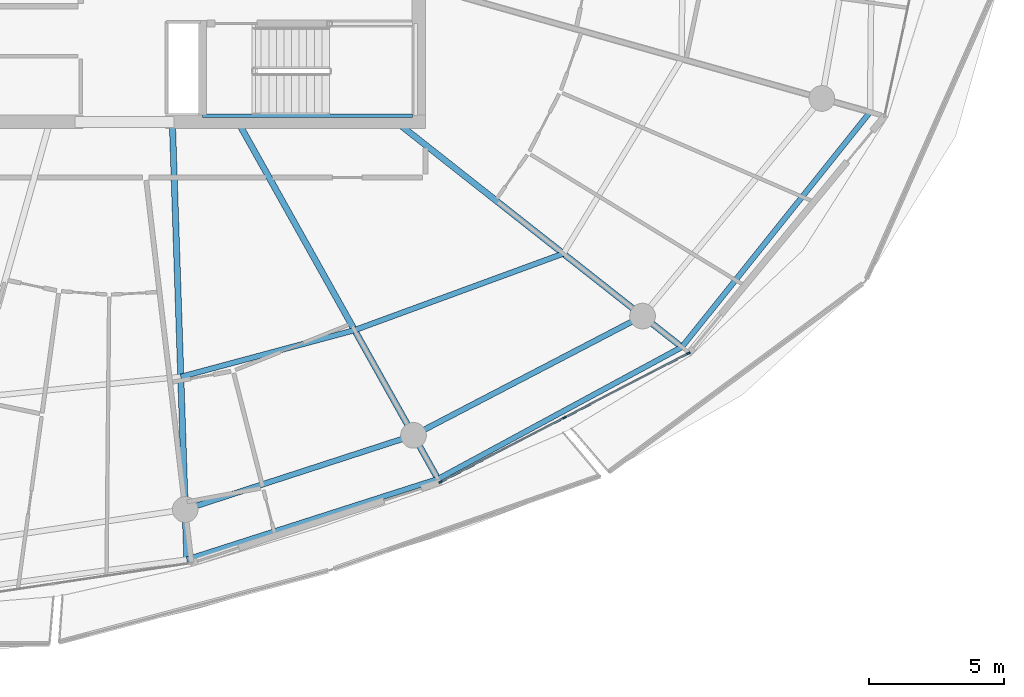
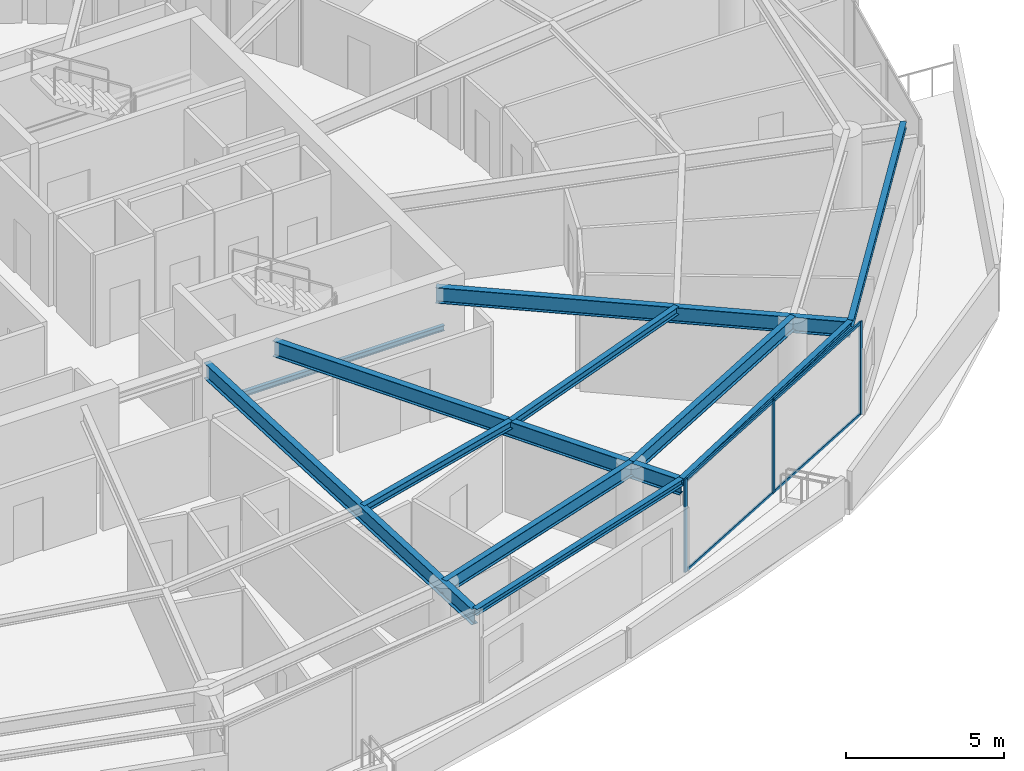
# One storey, part 10 of 30: 11 beams, 7 members, 1 element without a shape of its own.
"""IFC4 building model written with IfcOpenShell, lengths in metres."""

from ifc_helpers import new_model, si_unit, direction, frame, origin, origin_2d, place, context, subcontext, project, spatial, rectangle, i_section, extrude, material, layer, layer_set, material_profile, profile_set, type_object, element, aggregate, save


model = new_model("IFC4")

# Units and contexts
model_context = context("Model", 3, precision=1e-05, world=origin(), true_north=direction((0.0, 1.0)))
body_context = subcontext(model_context, "Body", "Model", "MODEL_VIEW")
ifc_project = project(units=[si_unit("LENGTHUNIT", "METRE"), si_unit("AREAUNIT", "SQUARE_METRE"), si_unit("VOLUMEUNIT", "CUBIC_METRE"), si_unit("PLANEANGLEUNIT", "RADIAN"), si_unit("MASSUNIT", "GRAM", prefix="KILO")], contexts=[model_context])

# Site, building, storey
site_placement = place(None, origin())
site = spatial("IfcSite", under=ifc_project, at=site_placement, CompositionType="ELEMENT")
building_placement = place(site_placement, origin())
building = spatial("IfcBuilding", under=site, at=building_placement, Name="Kazma Halo Residences", CompositionType="ELEMENT")
storey_placement = place(building_placement, frame((0.0, 0.0, 279.050048828125)))
storey = spatial("IfcBuildingStorey", under=building, at=storey_placement, Name="L70", CompositionType="ELEMENT", Elevation=279.050048828125)

# Beams
ifc_material_1 = material(Name="Steel S355", Category="steel")
ifc_material_profile_1 = material_profile(ifc_material_1, i_section(OverallWidth=0.201904296875, OverallDepth=0.2470703125, WebThickness=0.00732421875, FlangeThickness=0.010986328125, FilletRadius=0.011962890625, at=origin_2d()), Name="W250x49.1")
ifc_profile_set_1 = profile_set([ifc_material_profile_1], Name="Steel S355")
beam_type_1 = type_object("IfcBeamType", Name="BM-BAL-CANT", PredefinedType="BEAM", material=ifc_profile_set_1)
beam_1_placement = place(storey_placement, frame((50.732666015625, 17.580078125, 3.466552734375), z_axis=(0.952222879483, 0.305403974742, 0.0), x_axis=(-0.305403974742, 0.952222879483, 0.0)))
element("IfcBeam", 1, at=beam_1_placement, inside=storey, type_object=beam_type_1, Name="L70 wave-balcony tie beam 12", PredefinedType="BEAM", context=body_context, shape_type="SweptSolid", body=[
    extrude(i_section(OverallWidth=0.201904296875, OverallDepth=0.2470703125, WebThickness=0.00732421875, FlangeThickness=0.010986328125, FilletRadius=0.011962890625, at=origin_2d()), origin(), (0.0, 0.0, 1.0), 9.742431640625),
])
beam_2_placement = place(storey_placement, frame((60.009521484375, 20.555419921875, 3.466552734375), z_axis=(0.879517282036, 0.475866946321, 0.0), x_axis=(-0.475866946321, 0.879517282036, 0.0)))
element("IfcBeam", 2, at=beam_2_placement, inside=storey, type_object=beam_type_1, Name="L70 wave-balcony tie beam 13", PredefinedType="BEAM", context=body_context, shape_type="SweptSolid", body=[
    extrude(i_section(OverallWidth=0.201904296875, OverallDepth=0.2470703125, WebThickness=0.00732421875, FlangeThickness=0.010986328125, FilletRadius=0.011962890625, at=origin_2d()), origin(), (0.0, 0.0, 1.0), 10.243408203125),
])
beam_3_placement = place(storey_placement, frame((69.018798828125, 25.429931640625, 3.466552734375), z_axis=(0.625117912406, 0.780530329705, 0.0), x_axis=(-0.780530329705, 0.625117912406, 0.0)))
element("IfcBeam", 3, at=beam_3_placement, inside=storey, type_object=beam_type_1, Name="L70 wave-balcony tie beam 14", PredefinedType="BEAM", context=body_context, shape_type="SweptSolid", body=[
    extrude(i_section(OverallWidth=0.201904296875, OverallDepth=0.2470703125, WebThickness=0.00732421875, FlangeThickness=0.010986328125, FilletRadius=0.011962890625, at=origin_2d()), origin(), (0.0, 0.0, 1.0), 11.1220703125),
])
ifc_material_profile_2 = material_profile(ifc_material_1, i_section(OverallWidth=0.22802734375, OverallDepth=0.60791015625, WebThickness=0.01123046875, FlangeThickness=0.017333984375, FilletRadius=0.01806640625, at=origin_2d()), Name="W610x113")
ifc_profile_set_2 = profile_set([ifc_material_profile_2], Name="Steel S355")
beam_type_2 = type_object("IfcBeamType", Name="BM-RAD-W610", PredefinedType="BEAM", material=ifc_profile_set_2)
beam_4_placement = place(storey_placement, frame((50.199951171875, 33.64990234375, 3.285888671875), z_axis=(0.033131810975, -0.999450990845, 0.0), x_axis=(0.999450990845, 0.033131810975, 0.0)))
element("IfcBeam", 4, at=beam_4_placement, inside=storey, type_object=beam_type_2, Name="L70 radial floor beam 12", PredefinedType="BEAM", context=body_context, shape_type="SweptSolid", body=[
    extrude(i_section(OverallWidth=0.22802734375, OverallDepth=0.60791015625, WebThickness=0.01123046875, FlangeThickness=0.017333984375, FilletRadius=0.01806640625, at=origin_2d()), origin(), (0.0, 0.0, 1.0), 16.07861328125),
])
beam_5_placement = place(storey_placement, frame((52.67626953125, 33.64990234375, 3.285888671875), z_axis=(0.488620706085, -0.872496306918, 0.0), x_axis=(0.872496306918, 0.488620706085, 0.0)))
element("IfcBeam", 5, at=beam_5_placement, inside=storey, type_object=beam_type_2, Name="L70 radial floor beam 13", PredefinedType="BEAM", context=body_context, shape_type="SweptSolid", body=[
    extrude(i_section(OverallWidth=0.22802734375, OverallDepth=0.60791015625, WebThickness=0.01123046875, FlangeThickness=0.017333984375, FilletRadius=0.01806640625, at=origin_2d()), origin(), (0.0, 0.0, 1.0), 15.008056640625),
])
beam_6_placement = place(storey_placement, frame((58.591796875, 33.64990234375, 3.285888671875), z_axis=(0.785317474283, -0.619093260007, 0.0), x_axis=(0.619093260007, 0.785317474283, 0.0)))
element("IfcBeam", 6, at=beam_6_placement, inside=storey, type_object=beam_type_2, Name="L70 radial floor beam 14", PredefinedType="BEAM", context=body_context, shape_type="SweptSolid", body=[
    extrude(i_section(OverallWidth=0.22802734375, OverallDepth=0.60791015625, WebThickness=0.01123046875, FlangeThickness=0.017333984375, FilletRadius=0.01806640625, at=origin_2d()), origin(), (0.0, 0.0, 1.0), 13.27734375),
])
ifc_material_profile_3 = material_profile(ifc_material_1, i_section(OverallWidth=0.202880859375, OverallDepth=0.302978515625, WebThickness=0.007568359375, FlangeThickness=0.01318359375, FilletRadius=0.013916015625, at=origin_2d()), Name="W310x60")
ifc_profile_set_3 = profile_set([ifc_material_profile_3], Name="Steel S355")
beam_type_3 = type_object("IfcBeamType", Name="BM-SEC-W310A", PredefinedType="JOIST", material=ifc_profile_set_3)
beam_7_placement = place(storey_placement, frame((50.509033203125, 24.32958984375, 3.4384765625), z_axis=(0.965728418457, 0.259554660493, 0.0), x_axis=(-0.259554660493, 0.965728418457, 0.0)))
element("IfcBeam", 7, at=beam_7_placement, inside=storey, type_object=beam_type_3, Name="L70 circumferential floor joist 12", PredefinedType="JOIST", context=body_context, shape_type="SweptSolid", body=[
    extrude(i_section(OverallWidth=0.202880859375, OverallDepth=0.302978515625, WebThickness=0.007568359375, FlangeThickness=0.01318359375, FilletRadius=0.013916015625, at=origin_2d()), origin(), (0.0, 0.0, 1.0), 6.648193359375),
])
beam_8_placement = place(storey_placement, frame((56.929443359375, 26.05517578125, 3.4384765625), z_axis=(0.938873433212, 0.344262510896, 0.0), x_axis=(-0.344262510896, 0.938873433212, 0.0)))
element("IfcBeam", 8, at=beam_8_placement, inside=storey, type_object=beam_type_3, Name="L70 circumferential floor joist 13", PredefinedType="JOIST", context=body_context, shape_type="SweptSolid", body=[
    extrude(i_section(OverallWidth=0.202880859375, OverallDepth=0.302978515625, WebThickness=0.007568359375, FlangeThickness=0.01318359375, FilletRadius=0.013916015625, at=origin_2d()), origin(), (0.0, 0.0, 1.0), 8.212158203125),
])
ifc_material_profile_4 = material_profile(ifc_material_1, i_section(OverallWidth=0.208984375, OverallDepth=0.532958984375, WebThickness=0.01025390625, FlangeThickness=0.015625, FilletRadius=0.01611328125, at=origin_2d()), Name="W530x92")
ifc_profile_set_4 = profile_set([ifc_material_profile_4], Name="Steel S355")
beam_type_4 = type_object("IfcBeamType", Name="BM-SPN-W530", PredefinedType="BEAM", material=ifc_profile_set_4)
beam_9_placement = place(storey_placement, frame((50.67138671875, 19.42919921875, 3.323486328125), z_axis=(0.951053893407, 0.309025066679, 0.0), x_axis=(-0.309025066679, 0.951053893407, 0.0)))
element("IfcBeam", 9, at=beam_9_placement, inside=storey, type_object=beam_type_4, Name="L70 perimeter ring beam 12", PredefinedType="BEAM", context=body_context, shape_type="SweptSolid", body=[
    extrude(i_section(OverallWidth=0.208984375, OverallDepth=0.532958984375, WebThickness=0.01025390625, FlangeThickness=0.015625, FilletRadius=0.01611328125, at=origin_2d()), origin(), (0.0, 0.0, 1.0), 8.8681640625),
])
beam_10_placement = place(storey_placement, frame((59.10546875, 22.169677734375, 3.323486328125), z_axis=(0.886961047115, 0.461844238788, 0.0), x_axis=(-0.461844238788, 0.886961047115, 0.0)))
element("IfcBeam", 10, at=beam_10_placement, inside=storey, type_object=beam_type_4, Name="L70 perimeter ring beam 13", PredefinedType="BEAM", context=body_context, shape_type="SweptSolid", body=[
    extrude(i_section(OverallWidth=0.208984375, OverallDepth=0.532958984375, WebThickness=0.01025390625, FlangeThickness=0.015625, FilletRadius=0.01611328125, at=origin_2d()), origin(), (0.0, 0.0, 1.0), 9.5390625),
])
ifc_material_profile_5 = material_profile(ifc_material_1, i_section(OverallWidth=0.133056640625, OverallDepth=0.20703125, WebThickness=0.005859375, FlangeThickness=0.00830078125, FilletRadius=0.010009765625, at=origin_2d()), Name="W200x26.6")
ifc_profile_set_5 = profile_set([ifc_material_profile_5], Name="Steel S355")
beam_type_5 = type_object("IfcBeamType", Name="BM-TRIM-W200", PredefinedType="BEAM", material=ifc_profile_set_5)
beam_11_placement = place(storey_placement, frame((51.31005859375, 33.97998046875, 1.619873046875), z_axis=(1.0, 0.0, 0.0), x_axis=(0.0, 1.0, 0.0)))
element("IfcBeam", 11, at=beam_11_placement, inside=storey, type_object=beam_type_5, Name="L70 ST-03 landing south wall ledger", PredefinedType="BEAM", context=body_context, shape_type="SweptSolid", body=[
    extrude(i_section(OverallWidth=0.133056640625, OverallDepth=0.20703125, WebThickness=0.005859375, FlangeThickness=0.00830078125, FilletRadius=0.010009765625, at=origin_2d()), origin(), (0.0, 0.0, 1.0), 7.760009765625),
])

# Curtain wall, members
ifc_material_2 = material(Name="Aluminium AW-6063 T6 and Triple-Silver Low-E Glass", Category="aluminium")
ifc_layer = layer(ifc_material_2, 0.139892578125)
ifc_layer_set = layer_set([ifc_layer], Name="Aluminium AW-6063 T6 and Triple-Silver Low-E Glass")
curtain_wall_type = type_object("IfcCurtainWallType", Name="CW-SYS-5", PredefinedType="NOTDEFINED", material=ifc_layer_set)
curtain_wall_placement = place(storey_placement, origin())
curtain_wall = element("IfcCurtainWall", 12, at=curtain_wall_placement, inside=storey, type_object=curtain_wall_type, Name="L70 unitised curtain wall B13", PredefinedType="NOTDEFINED")
ifc_material_3 = material(Name="Aluminium AW-6063 T6", Category="aluminium")
ifc_material_profile_6 = material_profile(ifc_material_3, rectangle(XDim=0.06005859375, YDim=0.139892578125, at=origin_2d()), Name="CWM-60x140")
ifc_profile_set_6 = profile_set([ifc_material_profile_6], Name="Aluminium AW-6063 T6")
member_type_1 = type_object("IfcMemberType", Name="CW-SYS-5-MUL", PredefinedType="MULLION", material=ifc_profile_set_6)
member_1_placement = place(storey_placement, frame((60.105224609375, 20.446044921875, 0.0), z_axis=(0.0, 0.0, 1.0), x_axis=(-0.460960760804, 0.887420518694, 0.0)))
member_1 = element("IfcMember", 13, at=member_1_placement, type_object=member_type_1, Name="CWS-5 mullion 1", PredefinedType="MULLION", context=body_context, shape_type="SweptSolid", body=[
    extrude(rectangle(XDim=0.06005859375, YDim=0.139892578125, at=origin_2d()), origin(), (0.0, 0.0, 1.0), 3.58984375),
])
member_2_placement = place(storey_placement, frame((64.68408203125, 22.824462890625, 0.0), z_axis=(0.0, 0.0, 1.0), x_axis=(-0.460960760804, 0.887420518694, 0.0)))
member_2 = element("IfcMember", 14, at=member_2_placement, type_object=member_type_1, Name="CWS-5 mullion 2", PredefinedType="MULLION", context=body_context, shape_type="SweptSolid", body=[
    extrude(rectangle(XDim=0.06005859375, YDim=0.139892578125, at=origin_2d()), origin(), (0.0, 0.0, 1.0), 3.58984375),
])
member_3_placement = place(storey_placement, frame((69.262939453125, 25.202880859375, 0.0), z_axis=(0.0, 0.0, 1.0), x_axis=(-0.460960760804, 0.887420518694, 0.0)))
member_3 = element("IfcMember", 15, at=member_3_placement, type_object=member_type_1, Name="CWS-5 mullion 3", PredefinedType="MULLION", context=body_context, shape_type="SweptSolid", body=[
    extrude(rectangle(XDim=0.06005859375, YDim=0.139892578125, at=origin_2d()), origin(), (0.0, 0.0, 1.0), 3.58984375),
])
ifc_material_profile_7 = material_profile(ifc_material_3, rectangle(XDim=0.06005859375, YDim=0.10498046875, at=origin_2d()), Name="CWT-60x105")
ifc_profile_set_7 = profile_set([ifc_material_profile_7], Name="Aluminium AW-6063 T6")
member_type_2 = type_object("IfcMemberType", Name="CW-SYS-5-TRN", PredefinedType="USERDEFINED", material=ifc_profile_set_7)
member_4_placement = place(storey_placement, frame((60.1318359375, 20.4599609375, 0.030029296875), z_axis=(0.887436955863, 0.46092911534, 0.0), x_axis=(-0.46092911534, 0.887436955863, 0.0)))
member_4 = element("IfcMember", 16, at=member_4_placement, type_object=member_type_2, Name="CWS-5 transom 1.1", ObjectType="TRANSOM", PredefinedType="USERDEFINED", context=body_context, shape_type="SweptSolid", body=[
    extrude(rectangle(XDim=0.06005859375, YDim=0.10498046875, at=origin_2d()), origin(), (0.0, 0.0, 1.0), 5.099609375),
])
member_5_placement = place(storey_placement, frame((60.1318359375, 20.4599609375, 3.56005859375), z_axis=(0.887436955863, 0.46092911534, 0.0), x_axis=(-0.46092911534, 0.887436955863, 0.0)))
member_5 = element("IfcMember", 17, at=member_5_placement, type_object=member_type_2, Name="CWS-5 transom 1.2", ObjectType="TRANSOM", PredefinedType="USERDEFINED", context=body_context, shape_type="SweptSolid", body=[
    extrude(rectangle(XDim=0.06005859375, YDim=0.10498046875, at=origin_2d()), origin(), (0.0, 0.0, 1.0), 5.099609375),
])
member_6_placement = place(storey_placement, frame((64.710693359375, 22.83837890625, 0.030029296875), z_axis=(0.887436955863, 0.46092911534, 0.0), x_axis=(-0.46092911534, 0.887436955863, 0.0)))
member_6 = element("IfcMember", 18, at=member_6_placement, type_object=member_type_2, Name="CWS-5 transom 2.1", ObjectType="TRANSOM", PredefinedType="USERDEFINED", context=body_context, shape_type="SweptSolid", body=[
    extrude(rectangle(XDim=0.06005859375, YDim=0.10498046875, at=origin_2d()), origin(), (0.0, 0.0, 1.0), 5.099609375),
])
member_7_placement = place(storey_placement, frame((64.710693359375, 22.83837890625, 3.56005859375), z_axis=(0.887436955863, 0.46092911534, 0.0), x_axis=(-0.46092911534, 0.887436955863, 0.0)))
member_7 = element("IfcMember", 19, at=member_7_placement, type_object=member_type_2, Name="CWS-5 transom 2.2", ObjectType="TRANSOM", PredefinedType="USERDEFINED", context=body_context, shape_type="SweptSolid", body=[
    extrude(rectangle(XDim=0.06005859375, YDim=0.10498046875, at=origin_2d()), origin(), (0.0, 0.0, 1.0), 5.099609375),
])
aggregate(curtain_wall, [member_1, member_2, member_3, member_4, member_5, member_6, member_7])

save(model, "model.ifc")
